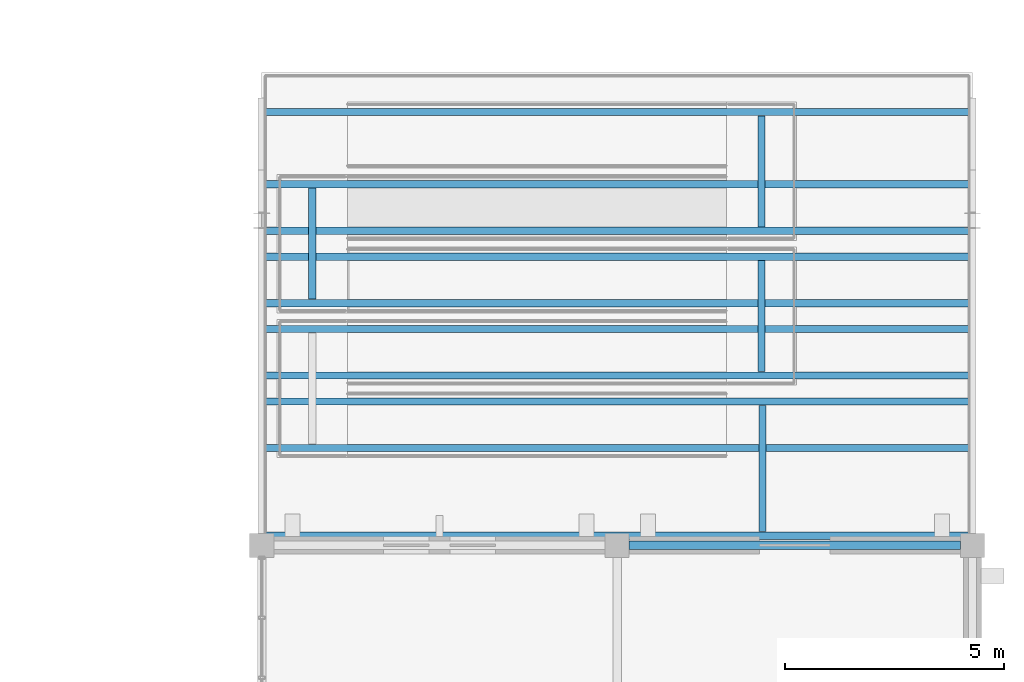
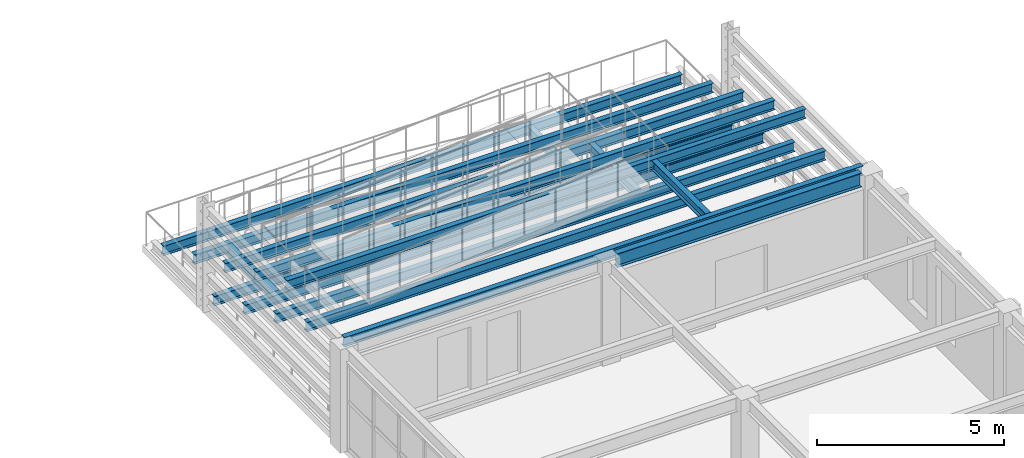
# One storey, part 90 of 121: 15 beams.
"""IFC4 building model written with IfcOpenShell, lengths in metres."""

from ifc_helpers import new_model, si_unit, direction, frame, origin, origin_2d, place, context, subcontext, project, spatial, i_section, extrude, material, material_profile, profile_set, type_object, element, save


model = new_model("IFC4")

# Units and contexts
model_context = context("Model", 3, precision=1e-05, world=origin(), true_north=direction((0.0, 1.0)))
body_context = subcontext(model_context, "Body", "Model", "MODEL_VIEW")
ifc_project = project(units=[si_unit("LENGTHUNIT", "METRE"), si_unit("AREAUNIT", "SQUARE_METRE"), si_unit("VOLUMEUNIT", "CUBIC_METRE"), si_unit("PLANEANGLEUNIT", "RADIAN"), si_unit("MASSUNIT", "GRAM", prefix="KILO")], contexts=[model_context])

# Site, building, storey
site_placement = place(None, origin())
site = spatial("IfcSite", under=ifc_project, at=site_placement, CompositionType="ELEMENT")
building_placement = place(site_placement, origin())
building = spatial("IfcBuilding", under=site, at=building_placement, Name="Cimatlan Art Gallery", CompositionType="ELEMENT")
storey_placement = place(building_placement, frame((0.0, 0.0, 10.199951171875)))
storey = spatial("IfcBuildingStorey", under=building, at=storey_placement, Name="L02", CompositionType="ELEMENT", Elevation=10.199951171875)

# Beams
ifc_material = material(Name="Steel ASTM A992 Grade 50", Category="steel")
ifc_material_profile_1 = material_profile(ifc_material, i_section(OverallWidth=0.1650390625, OverallDepth=0.31005859375, WebThickness=0.005859375, FlangeThickness=0.009765625, at=origin_2d()), Name="W12X26")
ifc_profile_set_1 = profile_set([ifc_material_profile_1], Name="Steel ASTM A992 Grade 50")
beam_type_1 = type_object("IfcBeamType", Name="BM-STL-W12X26", PredefinedType="JOIST", material=ifc_profile_set_1)
for number, where, z_axis, x_axis, name in (
    (1, (147.889892578125, 75.469970703125, 0.364990234375), (1.0, 0.0, 0.0), (0.0, 1.0, 0.0), "BM-RMP-TER-B5-L1-EW1"),
    (2, (147.889892578125, 78.179931640625, 0.364990234375), (1.0, 0.0, 0.0), (0.0, 1.0, 0.0), "BM-RMP-TER-B5-L1-EW2"),
):
    element("IfcBeam", number, at=place(storey_placement, frame(where, z_axis=z_axis, x_axis=x_axis)), inside=storey, type_object=beam_type_1, Name=name, PredefinedType="JOIST", context=body_context, shape_type="SweptSolid", body=[
        extrude(i_section(OverallWidth=0.1650390625, OverallDepth=0.31005859375, WebThickness=0.005859375, FlangeThickness=0.009765625, at=origin_2d()), origin(), (0.0, 0.0, 1.0), 16.02001953125),
    ])
beam_1_placement = place(storey_placement, frame((159.18994140625, 75.56005859375, 0.364990234375), z_axis=(0.0, 1.0, 0.0), x_axis=(-1.0, 0.0, 0.0)))
element("IfcBeam", 3, at=beam_1_placement, inside=storey, type_object=beam_type_1, Name="BM-RMP-TER-B5-L1-X1", PredefinedType="JOIST", context=body_context, shape_type="SweptSolid", body=[
    extrude(i_section(OverallWidth=0.1650390625, OverallDepth=0.31005859375, WebThickness=0.005859375, FlangeThickness=0.009765625, at=origin_2d()), origin(), (0.0, 0.0, 1.0), 2.530029296875),
])
for number, where, z_axis, x_axis, name in (
    (4, (147.889892578125, 73.820068359375, 1.0849609375), (1.0, 0.0, 0.0), (0.0, 1.0, 0.0), "BM-RMP-TER-B5-L2-EW1"),
    (5, (147.889892578125, 76.530029296875, 1.0849609375), (1.0, 0.0, 0.0), (0.0, 1.0, 0.0), "BM-RMP-TER-B5-L2-EW2"),
):
    element("IfcBeam", number, at=place(storey_placement, frame(where, z_axis=z_axis, x_axis=x_axis)), inside=storey, type_object=beam_type_1, Name=name, PredefinedType="JOIST", context=body_context, shape_type="SweptSolid", body=[
        extrude(i_section(OverallWidth=0.1650390625, OverallDepth=0.31005859375, WebThickness=0.005859375, FlangeThickness=0.009765625, at=origin_2d()), origin(), (0.0, 0.0, 1.0), 16.02001953125),
    ])
beam_2_placement = place(storey_placement, frame((148.949951171875, 73.909912109375, 1.0849609375), z_axis=(0.0, 1.0, 0.0), x_axis=(-1.0, 0.0, 0.0)))
element("IfcBeam", 6, at=beam_2_placement, inside=storey, type_object=beam_type_1, Name="BM-RMP-TER-B5-L2-X1", PredefinedType="JOIST", context=body_context, shape_type="SweptSolid", body=[
    extrude(i_section(OverallWidth=0.1650390625, OverallDepth=0.31005859375, WebThickness=0.005859375, FlangeThickness=0.009765625, at=origin_2d()), origin(), (0.0, 0.0, 1.0), 2.530029296875),
])
for number, where, z_axis, x_axis, name in (
    (7, (147.889892578125, 72.169921875, 1.804931640625), (1.0, 0.0, 0.0), (0.0, 1.0, 0.0), "BM-RMP-TER-B5-L3-EW1"),
    (8, (147.889892578125, 74.8798828125, 1.804931640625), (1.0, 0.0, 0.0), (0.0, 1.0, 0.0), "BM-RMP-TER-B5-L3-EW2"),
):
    element("IfcBeam", number, at=place(storey_placement, frame(where, z_axis=z_axis, x_axis=x_axis)), inside=storey, type_object=beam_type_1, Name=name, PredefinedType="JOIST", context=body_context, shape_type="SweptSolid", body=[
        extrude(i_section(OverallWidth=0.1650390625, OverallDepth=0.31005859375, WebThickness=0.005859375, FlangeThickness=0.009765625, at=origin_2d()), origin(), (0.0, 0.0, 1.0), 16.02001953125),
    ])
beam_3_placement = place(storey_placement, frame((159.18994140625, 72.260009765625, 1.804931640625), z_axis=(0.0, 1.0, 0.0), x_axis=(-1.0, 0.0, 0.0)))
element("IfcBeam", 9, at=beam_3_placement, inside=storey, type_object=beam_type_1, Name="BM-RMP-TER-B5-L3-X1", PredefinedType="JOIST", context=body_context, shape_type="SweptSolid", body=[
    extrude(i_section(OverallWidth=0.1650390625, OverallDepth=0.31005859375, WebThickness=0.005859375, FlangeThickness=0.009765625, at=origin_2d()), origin(), (0.0, 0.0, 1.0), 2.530029296875),
])
for number, where, z_axis, x_axis, name in (
    (10, (147.889892578125, 70.52001953125, 2.525146484375), (1.0, 0.0, 0.0), (0.0, 1.0, 0.0), "BM-RMP-TER-B5-L4-EW1"),
    (11, (147.889892578125, 73.22998046875, 2.525146484375), (1.0, 0.0, 0.0), (0.0, 1.0, 0.0), "BM-RMP-TER-B5-L4-EW2"),
    (12, (147.889892578125, 68.52001953125, 3.2451171875), (1.0, 0.0, 0.0), (0.0, 1.0, 0.0), "BM-RMP-TER-B5-L5-EW1"),
    (13, (147.889892578125, 71.580078125, 3.2451171875), (1.0, 0.0, 0.0), (0.0, 1.0, 0.0), "BM-RMP-TER-B5-L5-EW2"),
):
    element("IfcBeam", number, at=place(storey_placement, frame(where, z_axis=z_axis, x_axis=x_axis)), inside=storey, type_object=beam_type_1, Name=name, PredefinedType="JOIST", context=body_context, shape_type="SweptSolid", body=[
        extrude(i_section(OverallWidth=0.1650390625, OverallDepth=0.31005859375, WebThickness=0.005859375, FlangeThickness=0.009765625, at=origin_2d()), origin(), (0.0, 0.0, 1.0), 16.02001953125),
    ])
beam_4_placement = place(storey_placement, frame((159.215087890625, 68.610107421875, 3.2451171875), z_axis=(0.0, 1.0, 0.0), x_axis=(-1.0, 0.0, 0.0)))
element("IfcBeam", 14, at=beam_4_placement, inside=storey, type_object=beam_type_1, Name="BM-RMP-TER-B5-L5-X1", PredefinedType="JOIST", context=body_context, shape_type="SweptSolid", body=[
    extrude(i_section(OverallWidth=0.1650390625, OverallDepth=0.31005859375, WebThickness=0.005859375, FlangeThickness=0.009765625, at=origin_2d()), origin(), (0.0, 0.0, 1.0), 2.8798828125),
])
ifc_material_profile_2 = material_profile(ifc_material, i_section(OverallWidth=0.19091796875, OverallDepth=0.45703125, WebThickness=0.009033203125, FlangeThickness=0.014404296875, at=origin_2d()), Name="W18X50")
ifc_profile_set_2 = profile_set([ifc_material_profile_2], Name="Steel ASTM A992 Grade 50")
beam_type_2 = type_object("IfcBeamType", Name="BM-STL-W18X50", PredefinedType="BEAM", material=ifc_profile_set_2)
beam_5_placement = place(storey_placement, frame((156.175048828125, 68.300048828125, 3.1416015625), z_axis=(1.0, 0.0, 0.0), x_axis=(0.0, 1.0, 0.0)))
element("IfcBeam", 15, at=beam_5_placement, inside=storey, type_object=beam_type_2, Name="BM-X-L02-19-09", PredefinedType="BEAM", context=body_context, shape_type="SweptSolid", body=[
    extrude(i_section(OverallWidth=0.19091796875, OverallDepth=0.45703125, WebThickness=0.009033203125, FlangeThickness=0.014404296875, at=origin_2d()), origin(), (0.0, 0.0, 1.0), 7.550048828125),
])

save(model, "model.ifc")
